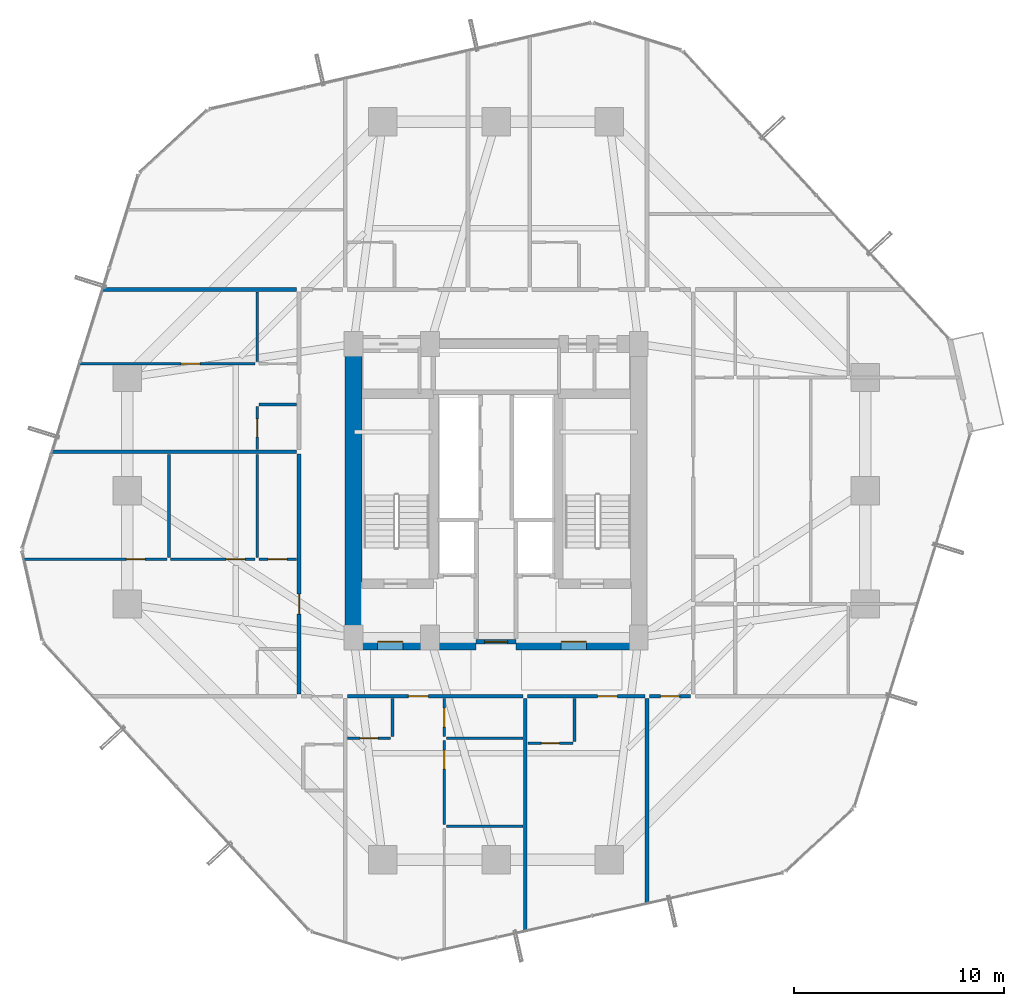
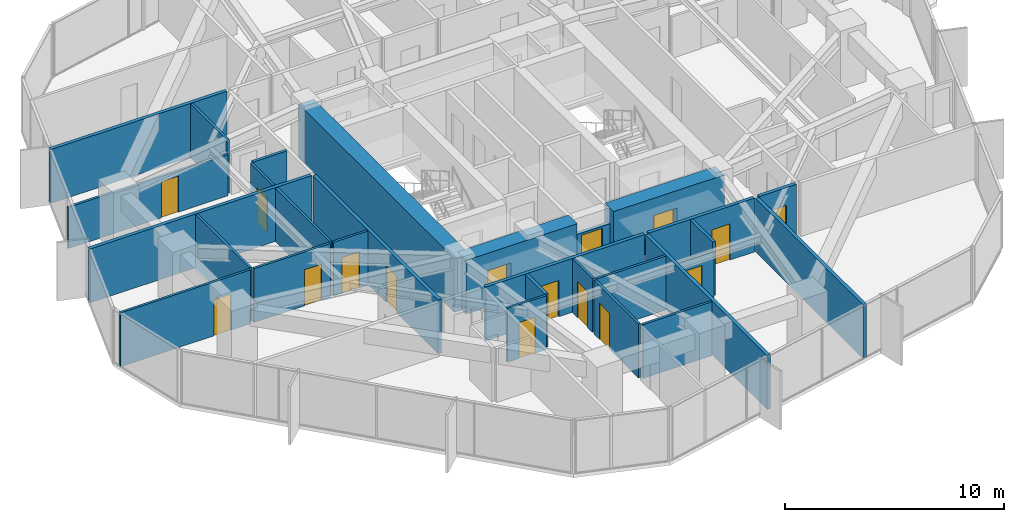
# One storey, part 34 of 39: 29 walls, 16 doors, 16 openings.
"""IFC4 building model written with IfcOpenShell, lengths in metres."""

import ifcopenshell
import ifcopenshell.guid

model = None  # the IFC model being written
_history = None  # IfcOwnerHistory: only IFC2X3 demands one
_inside = {}  # id of a spatial element -> (the spatial element, [elements in it])
_under = {}  # id of a project, library or spatial element -> (it, [spatial elements below it])
_declared = {}  # id of a project -> (the project, [libraries it declares])
_typed = {}  # id of a type object -> (the type object, [elements of that type])
_made_of = {}  # id of a material, layer set ... -> (it, [elements and type objects made of it])


def new_model(schema):
    """Start an empty IFC model of exactly this schema.

    Asked for "IFC4X3", IfcOpenShell would pick the latest addendum, in which some entities
    have other attributes; the version numbers below select the first issue.
    IFC2X3 requires an IfcOwnerHistory on every rooted entity: one is made here for all.
    """
    global model, _history
    if schema == "IFC4X3":
        model = ifcopenshell.file(schema_version=(4, 3, 0, 0))
    else:
        model = ifcopenshell.file(schema=schema)
    _inside.clear()
    _under.clear()
    _declared.clear()
    _typed.clear()
    _made_of.clear()
    _history = None
    if model.schema == "IFC2X3":
        org = make("IfcOrganization", Name="unknown")
        user = make(
            "IfcPersonAndOrganization",
            ThePerson=make("IfcPerson", FamilyName="unknown"),
            TheOrganization=org,
        )
        app = make(
            "IfcApplication",
            ApplicationDeveloper=org,
            Version="unknown",
            ApplicationFullName="unknown",
            ApplicationIdentifier="unknown",
        )
        _history = make(
            "IfcOwnerHistory",
            OwningUser=user,
            OwningApplication=app,
            ChangeAction="ADDED",
            CreationDate=0,
        )
    return model


def make(cls, **values):
    """One entity of the class cls with the attributes given. An attribute that is None is left unset."""
    return model.create_entity(
        cls, **{name: value for name, value in values.items() if value is not None}
    )


def rooted(cls, **values):
    """An entity with a GlobalId (a new one), such as an element, a storey or a relation."""
    return make(cls, GlobalId=ifcopenshell.guid.new(), OwnerHistory=_history, **values)


def si_unit(unit_type, name, prefix=None):
    """IfcSIUnit, for example si_unit("LENGTHUNIT", "METRE", prefix="MILLI")."""
    return make("IfcSIUnit", UnitType=unit_type, Prefix=prefix, Name=name)


def assignment(units):
    """IfcUnitAssignment: the units of a project."""
    return None if units is None else make("IfcUnitAssignment", Units=units)


def point(xyz):
    """IfcCartesianPoint."""
    return None if xyz is None else make("IfcCartesianPoint", Coordinates=xyz)


def direction(xyz):
    """IfcDirection."""
    return None if xyz is None else make("IfcDirection", DirectionRatios=xyz)


def frame(location, z_axis=None, x_axis=None):
    """IfcAxis2Placement3D, a coordinate frame: its origin and axes. An axis left out is left unset."""
    return make(
        "IfcAxis2Placement3D",
        Location=point(location),
        Axis=direction(z_axis),
        RefDirection=direction(x_axis),
    )


def frame_2d(location, x_axis=None):
    """IfcAxis2Placement2D, a coordinate frame in the plane: its origin and x axis."""
    return make(
        "IfcAxis2Placement2D", Location=point(location), RefDirection=direction(x_axis)
    )


def origin():
    """The frame at (0, 0, 0) with its axes left unset."""
    return frame((0.0, 0.0, 0.0))


def place(relative_to, where):
    """IfcLocalPlacement: puts the frame where relative to a parent placement (None: the world)."""
    return make(
        "IfcLocalPlacement", PlacementRelTo=relative_to, RelativePlacement=where
    )


def context(
    kind, dimensions, precision=None, world=None, true_north=None, identifier=None
):
    """IfcGeometricRepresentationContext, for example the 3D "Model" context."""
    return make(
        "IfcGeometricRepresentationContext",
        ContextIdentifier=identifier,
        ContextType=kind,
        CoordinateSpaceDimension=dimensions,
        Precision=precision,
        WorldCoordinateSystem=world,
        TrueNorth=true_north,
    )


def subcontext(parent, identifier, kind, view, scale=None):
    """IfcGeometricRepresentationSubContext, for example "Body" below "Model"."""
    return make(
        "IfcGeometricRepresentationSubContext",
        ContextIdentifier=identifier,
        ContextType=kind,
        ParentContext=parent,
        TargetScale=scale,
        TargetView=view,
    )


def project(units=None, contexts=None):
    """IfcProject with its units and contexts."""
    return rooted(
        "IfcProject",
        Name="project",
        RepresentationContexts=contexts,
        UnitsInContext=assignment(units),
    )


def spatial(cls, under=None, at=None, **own):
    """A site, building, storey or space (cls), placed at a placement, below another one or the project."""
    s = rooted(cls, ObjectPlacement=at, **own)
    if under is not None:
        _under.setdefault(under.id(), (under, []))[1].append(s)
    return s


def profile(cls, at=None, kind="AREA", **sizes):
    """A parametric profile (cls). Its sizes go by their IFC names, for example OverallWidth=200.0."""
    return make(cls, ProfileType=kind, Position=at, **sizes)


def rectangle(**sizes):
    """IfcRectangleProfileDef."""
    return profile("IfcRectangleProfileDef", **sizes)


def extrude(swept, where, along, depth):
    """IfcExtrudedAreaSolid: the profile swept, set in the frame where, extruded along a direction by depth."""
    return make(
        "IfcExtrudedAreaSolid",
        SweptArea=swept,
        Position=where,
        ExtrudedDirection=direction(along),
        Depth=depth,
    )


def shape(context_of_items, identifier, shape_type, items):
    """IfcShapeRepresentation: the items that make up one representation, for example the "Body"."""
    return make(
        "IfcShapeRepresentation",
        ContextOfItems=context_of_items,
        RepresentationIdentifier=identifier,
        RepresentationType=shape_type,
        Items=items,
    )


def source(mapping_origin, context_of_items, identifier, shape_type, items):
    """IfcRepresentationMap: a shape defined once, which mapped items show again and again."""
    return make(
        "IfcRepresentationMap",
        MappingOrigin=mapping_origin,
        MappedRepresentation=shape(context_of_items, identifier, shape_type, items),
    )


def transform(
    local_origin,
    x_axis=None,
    y_axis=None,
    z_axis=None,
    scale=None,
    scale2=None,
    scale3=None,
    uniform=True,
):
    """IfcCartesianTransformationOperator3D, or its non-uniform kind. x_axis, y_axis, z_axis: its Axis1, 2, 3."""
    if uniform:
        return make(
            "IfcCartesianTransformationOperator3D",
            Axis1=direction(x_axis),
            Axis2=direction(y_axis),
            LocalOrigin=point(local_origin),
            Scale=scale,
            Axis3=direction(z_axis),
        )
    return make(
        "IfcCartesianTransformationOperator3DnonUniform",
        Axis1=direction(x_axis),
        Axis2=direction(y_axis),
        LocalOrigin=point(local_origin),
        Scale=scale,
        Axis3=direction(z_axis),
        Scale2=scale2,
        Scale3=scale3,
    )


def mapped(mapping_source, mapping_target):
    """IfcMappedItem: shows the shape of a source again, moved by a transform."""
    return make(
        "IfcMappedItem", MappingSource=mapping_source, MappingTarget=mapping_target
    )


def material(Name=None, Category=None):
    """IfcMaterial."""
    return make("IfcMaterial", Name=Name, Category=Category)


def layer(
    of_material, thickness, ventilated=None, Name=None, Category=None, Priority=None
):
    """IfcMaterialLayer: one layer of a wall or slab, of a material (None: an air gap)."""
    return make(
        "IfcMaterialLayer",
        Material=of_material,
        LayerThickness=thickness,
        IsVentilated=ventilated,
        Name=Name,
        Category=Category,
        Priority=Priority,
    )


def layer_set(layers, Name=None):
    """IfcMaterialLayerSet."""
    return make("IfcMaterialLayerSet", MaterialLayers=layers, LayerSetName=Name)


def made_of(thing, what):
    """Note that an element or type object is made of a material, layer set ...; save() writes the relation."""
    if what is not None:
        _made_of.setdefault(what.id(), (what, []))[1].append(thing)
    return thing


def type_object(cls, material=None, **own):
    """A type object (cls), such as IfcWallType, which elements share."""
    return made_of(rooted(cls, **own), material)


def element(
    cls,
    number,
    at=None,
    inside=None,
    cuts=None,
    type_object=None,
    material=None,
    context=None,
    identifier="Body",
    shape_type=None,
    held_by="IfcProductDefinitionShape",
    body=None,
    shapes=None,
    **own,
):
    """One element of the class cls, such as IfcWall. Its Tag is "e" and its number.

    at: its placement. inside: the storey or other place that contains it. cuts: it is an
    opening in that element (IfcRelVoidsElement). A single representation is given by context,
    identifier, shape_type and body (its items); several are given by shapes. held_by: the class
    of the entity that holds the representations. save() writes the other relations.
    """
    e = rooted(cls, Tag="e%d" % number, ObjectPlacement=at, **own)
    if body is not None:
        shapes = [shape(context, identifier, shape_type, body)]
    if shapes is not None:
        e.Representation = make(held_by, Representations=shapes)
    if inside is not None:
        _inside.setdefault(inside.id(), (inside, []))[1].append(e)
    if cuts is not None:
        rooted(
            "IfcRelVoidsElement", RelatingBuildingElement=cuts, RelatedOpeningElement=e
        )
    if type_object is not None:
        _typed.setdefault(type_object.id(), (type_object, []))[1].append(e)
    return made_of(e, material)


def fill(opening, filler):
    """IfcRelFillsElement: the door or window that sits in an opening."""
    return rooted(
        "IfcRelFillsElement",
        RelatingOpeningElement=opening,
        RelatedBuildingElement=filler,
    )


def aggregate(whole, parts):
    """IfcRelAggregates: a whole, such as a stair, and the parts it consists of."""
    return rooted("IfcRelAggregates", RelatingObject=whole, RelatedObjects=parts)


def save(model, path):
    """Write the relations noted so far, then the file.

    IfcRelAggregates (storeys below a building ...), IfcRelContainedInSpatialStructure (elements
    in a storey), IfcRelDefinesByType, IfcRelAssociatesMaterial and IfcRelDeclares: one each for
    every whole, place, type object, material and project.
    """
    for whole, parts in _under.values():
        aggregate(whole, parts)
    for where, things in _inside.values():
        rooted(
            "IfcRelContainedInSpatialStructure",
            RelatedElements=things,
            RelatingStructure=where,
        )
    for kind, things in _typed.values():
        rooted("IfcRelDefinesByType", RelatedObjects=things, RelatingType=kind)
    for what, things in _made_of.values():
        rooted("IfcRelAssociatesMaterial", RelatedObjects=things, RelatingMaterial=what)
    for by, libraries in _declared.values():
        rooted("IfcRelDeclares", RelatingContext=by, RelatedDefinitions=libraries)
    model.write(path)


model = new_model("IFC4")

# Units and contexts
model_context = context("Model", 3, precision=1e-05, world=origin(), true_north=direction((0.0, 1.0)))
body_context = subcontext(model_context, "Body", "Model", "MODEL_VIEW")
ifc_project = project(units=[si_unit("LENGTHUNIT", "METRE"), si_unit("AREAUNIT", "SQUARE_METRE"), si_unit("VOLUMEUNIT", "CUBIC_METRE"), si_unit("PLANEANGLEUNIT", "RADIAN"), si_unit("MASSUNIT", "GRAM", prefix="KILO")], contexts=[model_context])

# Site, building, storey
site_placement = place(None, origin())
site = spatial("IfcSite", under=ifc_project, at=site_placement, CompositionType="ELEMENT")
building_placement = place(site_placement, origin())
building = spatial("IfcBuilding", under=site, at=building_placement, Name="Veraguas Prism Commons", CompositionType="ELEMENT")
storey_placement = place(building_placement, frame((0.0, 0.0, 67.35009765625)))
storey = spatial("IfcBuildingStorey", under=building, at=storey_placement, Name="L18", CompositionType="ELEMENT", Elevation=67.35009765625)

# Wall
ifc_material_1 = material(Name="Concrete C60/75", Category="concrete")
ifc_layer_1 = layer(ifc_material_1, 0.800048828125, Name="Core Outer Shear Wall Lower RC 800", Category="concrete")
ifc_layer_set_1 = layer_set([ifc_layer_1], Name="Concrete C60/75")
wall_type_1 = type_object("IfcWallType", Name="Core Outer Shear Wall Lower RC 800", PredefinedType="SHEAR", material=ifc_layer_set_1)
wall_1_placement = place(storey_placement, frame((17.199951171875, 16.800048828125, 0.0), z_axis=(0.0, 0.0, 1.0), x_axis=(0.0, 1.0, 0.0)))
element("IfcWall", 1, at=wall_1_placement, inside=storey, type_object=wall_type_1, Name="Central Core West Shear Wall L18", PredefinedType="SHEAR", context=body_context, shape_type="SweptSolid", body=[
    extrude(rectangle(XDim=14.199951171875, YDim=0.800048828125, at=frame_2d((7.10009765625, 0.0))), origin(), (0.0, 0.0, 1.0), 3.0),
])

# Wall, opening, door
wall_2_placement = place(storey_placement, frame((17.199951171875, 16.800048828125, 0.0), z_axis=(0.0, 0.0, 1.0), x_axis=(1.0, 0.0, 0.0)))
wall_2 = element("IfcWall", 2, at=wall_2_placement, inside=storey, type_object=wall_type_1, Name="Central Core South-West Shear Wall L18", PredefinedType="SHEAR", context=body_context, shape_type="SweptSolid", body=[
    extrude(rectangle(XDim=5.85009765625, YDim=0.800048828125, at=frame_2d((2.925048828125, 0.0))), origin(), (0.0, 0.0, 1.0), 3.0),
])
opening_1_placement = place(wall_2_placement, frame((1.14990234375, 0.0, 0.0)))
opening_1 = element("IfcOpeningElement", 3, at=opening_1_placement, cuts=wall_2, Name="Opening DR-06", PredefinedType="OPENING", context=body_context, shape_type="SweptSolid", body=[
    extrude(rectangle(XDim=1.199951171875, YDim=2.030029296875, at=frame_2d((0.60009765625, 1.01513671875))), frame((0.0, 0.409912109375, 0.0), z_axis=(0.0, -1.0, 0.0), x_axis=(1.0, 0.0, 0.0)), (0.0, 0.0, 1.0), 0.820068359375),
])
ifc_material_2 = material(Name="Steel fire-rated door assembly", Category="steel")
door_type_1 = type_object("IfcDoorType", Name="Firefighting Lobby Smoke Door 1200x2030", OperationType="NOTDEFINED", PredefinedType="DOOR", material=ifc_material_2)
shared_shape_1 = source(origin(), body_context, "Body", "SweptSolid", [
    extrude(rectangle(XDim=1.199951171875, YDim=2.030029296875, at=frame_2d((0.60009765625, 1.01513671875))), frame((0.0, 0.02490234375, 0.0), z_axis=(0.0, -1.0, 0.0), x_axis=(1.0, 0.0, 0.0)), (0.0, 0.0, 1.0), 0.050048828125),
])
door_1_placement = place(opening_1_placement, origin())
door_1 = element("IfcDoor", 4, at=door_1_placement, inside=storey, type_object=door_type_1, Name="West FF Lobby Door L18", OperationType="SINGLE_SWING_RIGHT", OverallHeight=2.030029296875, OverallWidth=1.199951171875, PredefinedType="DOOR", context=body_context, shape_type="MappedRepresentation", body=[
    mapped(shared_shape_1, transform((0.0, 0.0, 0.0), scale=1.0)),
])
fill(opening_1, door_1)

wall_3_placement = place(storey_placement, frame((24.949951171875, 16.800048828125, 0.0), z_axis=(0.0, 0.0, 1.0), x_axis=(1.0, 0.0, 0.0)))
wall_3 = element("IfcWall", 5, at=wall_3_placement, inside=storey, type_object=wall_type_1, Name="Central Core South-East Shear Wall L18", PredefinedType="SHEAR", context=body_context, shape_type="SweptSolid", body=[
    extrude(rectangle(XDim=5.85009765625, YDim=0.800048828125, at=frame_2d((2.925048828125, 0.0))), origin(), (0.0, 0.0, 1.0), 3.0),
])
opening_2_placement = place(wall_3_placement, frame((2.14990234375, 0.0, 0.0)))
opening_2 = element("IfcOpeningElement", 6, at=opening_2_placement, cuts=wall_3, Name="Opening DR-06", PredefinedType="OPENING", context=body_context, shape_type="SweptSolid", body=[
    extrude(rectangle(XDim=1.199951171875, YDim=2.030029296875, at=frame_2d((0.60009765625, 1.01513671875))), frame((0.0, 0.409912109375, 0.0), z_axis=(0.0, -1.0, 0.0), x_axis=(1.0, 0.0, 0.0)), (0.0, 0.0, 1.0), 0.820068359375),
])
door_2_placement = place(opening_2_placement, origin())
door_2 = element("IfcDoor", 7, at=door_2_placement, inside=storey, type_object=door_type_1, Name="East FF Lobby Door L18", OperationType="SINGLE_SWING_RIGHT", OverallHeight=2.030029296875, OverallWidth=1.199951171875, PredefinedType="DOOR", context=body_context, shape_type="MappedRepresentation", body=[
    mapped(shared_shape_1, transform((0.0, 0.0, 0.0), scale=1.0)),
])
fill(opening_2, door_2)

# Wall
ifc_material_3 = material(Name="Autoclaved aerated masonry block 10 MPa", Category="masonry")
ifc_layer_2 = layer(ifc_material_3, 0.179931640625, Name="Corridor and Inter-Tenancy Partition 180", Category="masonry")
ifc_layer_set_2 = layer_set([ifc_layer_2], Name="Autoclaved aerated masonry block 10 MPa")
wall_type_2 = type_object("IfcWallType", Name="Corridor and Inter-Tenancy Partition 180", PredefinedType="PARTITIONING", material=ifc_layer_set_2)
wall_4_placement = place(storey_placement, frame((31.199951171875, 14.080078125, 0.0), z_axis=(0.0, 0.0, 1.0), x_axis=(0.0, -1.0, 0.0)))
element("IfcWall", 8, at=wall_4_placement, inside=storey, type_object=wall_type_2, Name="WL-L18-PT002", PredefinedType="PARTITIONING", context=body_context, shape_type="SweptSolid", body=[
    extrude(rectangle(XDim=9.792236328125, YDim=0.179931640625, at=frame_2d((4.89599609375, 0.0))), origin(), (0.0, 0.0, 1.0), 3.0),
])

# Wall, opening, door
wall_5_placement = place(storey_placement, frame((16.909912109375, 14.199951171875, 0.0), z_axis=(0.0, 0.0, 1.0), x_axis=(1.0, 0.0, 0.0)))
wall_5 = element("IfcWall", 9, at=wall_5_placement, inside=storey, type_object=wall_type_2, Name="WL-L18-PT003", PredefinedType="PARTITIONING", context=body_context, shape_type="SweptSolid", body=[
    extrude(rectangle(XDim=8.3720703125, YDim=0.179931640625, at=frame_2d((4.18603515625, 0.0))), origin(), (0.0, 0.0, 1.0), 3.0),
])
opening_3_placement = place(wall_5_placement, frame((2.903076171875, 0.0, 0.0)))
opening_3 = element("IfcOpeningElement", 10, at=opening_3_placement, cuts=wall_5, Name="Opening DR-01", PredefinedType="OPENING", context=body_context, shape_type="SweptSolid", body=[
    extrude(rectangle(XDim=0.949951171875, YDim=2.02001953125, at=frame_2d((0.47509765625, 1.010009765625))), frame((0.0, 0.099853515625, 0.0), z_axis=(0.0, -1.0, 0.0), x_axis=(1.0, 0.0, 0.0)), (0.0, 0.0, 1.0), 0.199951171875),
])
ifc_material_4 = material(Name="Anodised aluminium EN AW-6063 T6", Category="aluminium")
door_type_2 = type_object("IfcDoorType", Name="Apartment Entrance Fire Door 950x2020", OperationType="NOTDEFINED", PredefinedType="DOOR", material=ifc_material_4)
shared_shape_2 = source(origin(), body_context, "Body", "SweptSolid", [
    extrude(rectangle(XDim=0.949951171875, YDim=2.02001953125, at=frame_2d((0.47509765625, 1.010009765625))), frame((0.0, 0.02490234375, 0.0), z_axis=(0.0, -1.0, 0.0), x_axis=(1.0, 0.0, 0.0)), (0.0, 0.0, 1.0), 0.050048828125),
])
door_3_placement = place(opening_3_placement, origin())
door_3 = element("IfcDoor", 11, at=door_3_placement, inside=storey, type_object=door_type_2, Name="Flat 18A Entrance Door", OperationType="SINGLE_SWING_RIGHT", OverallHeight=2.02001953125, OverallWidth=0.949951171875, PredefinedType="DOOR", context=body_context, shape_type="MappedRepresentation", body=[
    mapped(shared_shape_2, transform((0.0, 0.0, 0.0), scale=1.0)),
])
fill(opening_3, door_3)

# Wall
wall_6_placement = place(storey_placement, frame((25.39208984375, 14.080078125, 0.0), z_axis=(0.0, 0.0, 1.0), x_axis=(0.0, -1.0, 0.0)))
element("IfcWall", 12, at=wall_6_placement, inside=storey, type_object=wall_type_2, Name="WL-L18-PT011", PredefinedType="PARTITIONING", context=body_context, shape_type="SweptSolid", body=[
    extrude(rectangle(XDim=11.10546875, YDim=0.179931640625, at=frame_2d((5.552734375, 0.0))), origin(), (0.0, 0.0, 1.0), 3.0),
])

# Wall, opening, door
wall_7_placement = place(storey_placement, frame((25.501953125, 14.199951171875, 0.0), z_axis=(0.0, 0.0, 1.0), x_axis=(1.0, 0.0, 0.0)))
wall_7 = element("IfcWall", 13, at=wall_7_placement, inside=storey, type_object=wall_type_2, Name="WL-L18-PT012", PredefinedType="PARTITIONING", context=body_context, shape_type="SweptSolid", body=[
    extrude(rectangle(XDim=5.588134765625, YDim=0.179931640625, at=frame_2d((2.7939453125, 0.0))), origin(), (0.0, 0.0, 1.0), 3.0),
])
opening_4_placement = place(wall_7_placement, frame((3.336181640625, 0.0, 0.0)))
opening_4 = element("IfcOpeningElement", 14, at=opening_4_placement, cuts=wall_7, Name="Opening DR-01", PredefinedType="OPENING", context=body_context, shape_type="SweptSolid", body=[
    extrude(rectangle(XDim=0.949951171875, YDim=2.02001953125, at=frame_2d((0.47509765625, 1.010009765625))), frame((0.0, 0.099853515625, 0.0), z_axis=(0.0, -1.0, 0.0), x_axis=(1.0, 0.0, 0.0)), (0.0, 0.0, 1.0), 0.199951171875),
])
door_4_placement = place(opening_4_placement, origin())
door_4 = element("IfcDoor", 15, at=door_4_placement, inside=storey, type_object=door_type_2, Name="Studio 18B Entrance Door", OperationType="SINGLE_SWING_LEFT", OverallHeight=2.02001953125, OverallWidth=0.949951171875, PredefinedType="DOOR", context=body_context, shape_type="MappedRepresentation", body=[
    mapped(shared_shape_2, transform((0.0, 0.0, 0.0), scale=1.0)),
])
fill(opening_4, door_4)

# Wall
wall_8_placement = place(storey_placement, frame((14.47998046875, 33.60009765625, 0.0), z_axis=(0.0, 0.0, 1.0), x_axis=(-1.0, 0.0, 0.0)))
element("IfcWall", 16, at=wall_8_placement, inside=storey, type_object=wall_type_2, Name="WL-L18-PT027", PredefinedType="PARTITIONING", context=body_context, shape_type="SweptSolid", body=[
    extrude(rectangle(XDim=9.29345703125, YDim=0.179931640625, at=frame_2d((4.646728515625, 0.0))), origin(), (0.0, 0.0, 1.0), 3.0),
])

# Wall, opening, door
wall_9_placement = place(storey_placement, frame((14.60009765625, 14.31005859375, 0.0), z_axis=(0.0, 0.0, 1.0), x_axis=(0.0, 1.0, 0.0)))
wall_9 = element("IfcWall", 17, at=wall_9_placement, inside=storey, type_object=wall_type_2, Name="WL-L18-PT028", PredefinedType="PARTITIONING", context=body_context, shape_type="SweptSolid", body=[
    extrude(rectangle(XDim=11.43798828125, YDim=0.179931640625, at=frame_2d((5.718994140625, 0.0))), origin(), (0.0, 0.0, 1.0), 3.0),
])
opening_5_placement = place(wall_9_placement, frame((3.803955078125, 0.0, 0.0)))
opening_5 = element("IfcOpeningElement", 18, at=opening_5_placement, cuts=wall_9, Name="Opening DR-01", PredefinedType="OPENING", context=body_context, shape_type="SweptSolid", body=[
    extrude(rectangle(XDim=0.949951171875, YDim=2.02001953125, at=frame_2d((0.47509765625, 1.010009765625))), frame((0.0, 0.099853515625, 0.0), z_axis=(0.0, -1.0, 0.0), x_axis=(1.0, 0.0, 0.0)), (0.0, 0.0, 1.0), 0.199951171875),
])
door_5_placement = place(opening_5_placement, origin())
door_5 = element("IfcDoor", 19, at=door_5_placement, inside=storey, type_object=door_type_2, Name="Flat 18E Entrance Door", OperationType="SINGLE_SWING_RIGHT", OverallHeight=2.02001953125, OverallWidth=0.949951171875, PredefinedType="DOOR", context=body_context, shape_type="MappedRepresentation", body=[
    mapped(shared_shape_2, transform((0.0, 0.0, 0.0), scale=1.0)),
])
fill(opening_5, door_5)

# Wall
wall_10_placement = place(storey_placement, frame((14.47998046875, 25.85791015625, 0.0), z_axis=(0.0, 0.0, 1.0), x_axis=(-1.0, 0.0, 0.0)))
element("IfcWall", 20, at=wall_10_placement, inside=storey, type_object=wall_type_2, Name="WL-L18-PT036", PredefinedType="PARTITIONING", context=body_context, shape_type="SweptSolid", body=[
    extrude(rectangle(XDim=11.698974609375, YDim=0.179931640625, at=frame_2d((5.849609375, 0.0))), origin(), (0.0, 0.0, 1.0), 3.0),
])

# Wall, opening, door
wall_11_placement = place(storey_placement, frame((31.320068359375, 14.199951171875, 0.0), z_axis=(0.0, 0.0, 1.0), x_axis=(1.0, 0.0, 0.0)))
wall_11 = element("IfcWall", 21, at=wall_11_placement, inside=storey, type_object=wall_type_2, Name="WL-L18-PT064", PredefinedType="PARTITIONING", context=body_context, shape_type="SweptSolid", body=[
    extrude(rectangle(XDim=1.9599609375, YDim=0.179931640625, at=frame_2d((0.97998046875, 0.0))), origin(), (0.0, 0.0, 1.0), 3.0),
])
opening_6_placement = place(wall_11_placement, frame((0.530029296875, 0.0, 0.0)))
opening_6 = element("IfcOpeningElement", 22, at=opening_6_placement, cuts=wall_11, Name="Opening DR-14", PredefinedType="OPENING", context=body_context, shape_type="SweptSolid", body=[
    extrude(rectangle(XDim=0.89990234375, YDim=2.010009765625, at=frame_2d((0.449951171875, 1.0048828125))), frame((0.0, 0.099853515625, 0.0), z_axis=(0.0, -1.0, 0.0), x_axis=(1.0, 0.0, 0.0)), (0.0, 0.0, 1.0), 0.199951171875),
])
door_type_3 = type_object("IfcDoorType", Name="Core Service Room Fire Door 900x2010", OperationType="NOTDEFINED", PredefinedType="DOOR", material=ifc_material_2)
shared_shape_3 = source(origin(), body_context, "Body", "SweptSolid", [
    extrude(rectangle(XDim=0.89990234375, YDim=2.010009765625, at=frame_2d((0.449951171875, 1.0048828125))), frame((0.0, 0.02490234375, 0.0), z_axis=(0.0, -1.0, 0.0), x_axis=(1.0, 0.0, 0.0)), (0.0, 0.0, 1.0), 0.050048828125),
])
door_6_placement = place(opening_6_placement, origin())
door_6 = element("IfcDoor", 23, at=door_6_placement, inside=storey, type_object=door_type_3, Name="Residents Corner Study Room SE Door", OperationType="SINGLE_SWING_RIGHT", OverallHeight=2.010009765625, OverallWidth=0.89990234375, PredefinedType="DOOR", context=body_context, shape_type="MappedRepresentation", body=[
    mapped(shared_shape_3, transform((0.0, 0.0, 0.0), scale=1.0)),
])
fill(opening_6, door_6)

ifc_material_5 = material(Name="Lightweight acoustic gypsum board")
ifc_layer_3 = layer(ifc_material_5, 0.125, Name="Internal Apartment Room Partition 125")
ifc_layer_set_3 = layer_set([ifc_layer_3], Name="Lightweight acoustic gypsum board")
wall_type_3 = type_object("IfcWallType", Name="Internal Apartment Room Partition 125", PredefinedType="PARTITIONING", material=ifc_layer_set_3)
wall_12_placement = place(storey_placement, frame((16.919921875, 12.199951171875, 0.0), z_axis=(0.0, 0.0, 1.0), x_axis=(1.0, 0.0, 0.0)))
wall_12 = element("IfcWall", 24, at=wall_12_placement, inside=storey, type_object=wall_type_3, Name="WL-L18-PT005", PredefinedType="PARTITIONING", context=body_context, shape_type="SweptSolid", body=[
    extrude(rectangle(XDim=2.050048828125, YDim=0.125, at=frame_2d((1.02490234375, 0.0))), origin(), (0.0, 0.0, 1.0), 3.0),
])
opening_7_placement = place(wall_12_placement, frame((0.594970703125, 0.0, 0.0)))
opening_7 = element("IfcOpeningElement", 25, at=opening_7_placement, cuts=wall_12, Name="Opening DR-03", PredefinedType="OPENING", context=body_context, shape_type="SweptSolid", body=[
    extrude(rectangle(XDim=0.860107421875, YDim=2.010009765625, at=frame_2d((0.43017578125, 1.0048828125))), frame((0.0, 0.072509765625, 0.0), z_axis=(0.0, -1.0, 0.0), x_axis=(1.0, 0.0, 0.0)), (0.0, 0.0, 1.0), 0.14501953125),
])
ifc_material_6 = material(Name="Timber moisture-resistant leaf", Category="wood")
door_type_4 = type_object("IfcDoorType", Name="Internal Bathroom Door 860x2010", OperationType="NOTDEFINED", PredefinedType="DOOR", material=ifc_material_6)
shared_shape_4 = source(origin(), body_context, "Body", "SweptSolid", [
    extrude(rectangle(XDim=0.860107421875, YDim=2.010009765625, at=frame_2d((0.43017578125, 1.0048828125))), frame((0.0, 0.02490234375, 0.0), z_axis=(0.0, -1.0, 0.0), x_axis=(1.0, 0.0, 0.0)), (0.0, 0.0, 1.0), 0.050048828125),
])
door_7_placement = place(opening_7_placement, origin())
door_7 = element("IfcDoor", 26, at=door_7_placement, inside=storey, type_object=door_type_4, Name="Flat 18A Bathroom Door", OperationType="SINGLE_SWING_LEFT", OverallHeight=2.010009765625, OverallWidth=0.860107421875, PredefinedType="DOOR", context=body_context, shape_type="MappedRepresentation", body=[
    mapped(shared_shape_4, transform((0.0, 0.0, 0.0), scale=1.0)),
])
fill(opening_7, door_7)

wall_13_placement = place(storey_placement, frame((21.52587890625, 14.080078125, 0.0), z_axis=(0.0, 0.0, 1.0), x_axis=(0.0, -1.0, 0.0)))
wall_13 = element("IfcWall", 27, at=wall_13_placement, inside=storey, type_object=wall_type_3, Name="WL-L18-PT006", PredefinedType="PARTITIONING", context=body_context, shape_type="SweptSolid", body=[
    extrude(rectangle(XDim=1.800048828125, YDim=0.125, at=frame_2d((0.89990234375, 0.0))), origin(), (0.0, 0.0, 1.0), 3.0),
])
opening_8_placement = place(wall_13_placement, frame((0.449951171875, 0.0, 0.0)))
opening_8 = element("IfcOpeningElement", 28, at=opening_8_placement, cuts=wall_13, Name="Opening DR-02", PredefinedType="OPENING", context=body_context, shape_type="SweptSolid", body=[
    extrude(rectangle(XDim=0.89990234375, YDim=2.010009765625, at=frame_2d((0.449951171875, 1.0048828125))), frame((0.0, 0.072509765625, 0.0), z_axis=(0.0, -1.0, 0.0), x_axis=(1.0, 0.0, 0.0)), (0.0, 0.0, 1.0), 0.14501953125),
])
ifc_material_7 = material(Name="Timber solid core hardwood", Category="wood")
door_type_5 = type_object("IfcDoorType", Name="Internal Habitable Room Door 900x2010", OperationType="NOTDEFINED", PredefinedType="DOOR", material=ifc_material_7)
door_8_placement = place(opening_8_placement, origin())
door_8 = element("IfcDoor", 29, at=door_8_placement, inside=storey, type_object=door_type_5, Name="Flat 18A Kitchen Door", OperationType="SINGLE_SWING_RIGHT", OverallHeight=2.010009765625, OverallWidth=0.89990234375, PredefinedType="DOOR", context=body_context, shape_type="MappedRepresentation", body=[
    mapped(shared_shape_3, transform((0.0, 0.0, 0.0), scale=1.0)),
])
fill(opening_8, door_8)

# Walls
for number, where, z_axis, x_axis, name in (
    (30, (21.6259765625, 12.199951171875, 0.0), (0.0, 0.0, 1.0), (1.0, 0.0, 0.0), "WL-L18-PT007"),
    (31, (21.6259765625, 8.0, 0.0), (0.0, 0.0, 1.0), (1.0, 0.0, 0.0), "WL-L18-PT008"),
):
    element("IfcWall", number, at=place(storey_placement, frame(where, z_axis=z_axis, x_axis=x_axis)), inside=storey, type_object=wall_type_3, Name=name, PredefinedType="PARTITIONING", context=body_context, shape_type="SweptSolid", body=[
        extrude(rectangle(XDim=3.64599609375, YDim=0.125, at=frame_2d((1.822998046875, 0.0))), origin(), (0.0, 0.0, 1.0), 3.0),
    ])

# Wall, opening, door
wall_14_placement = place(storey_placement, frame((21.52587890625, 12.10009765625, 0.0), z_axis=(0.0, 0.0, 1.0), x_axis=(0.0, -1.0, 0.0)))
wall_14 = element("IfcWall", 32, at=wall_14_placement, inside=storey, type_object=wall_type_3, Name="WL-L18-PT009", PredefinedType="PARTITIONING", context=body_context, shape_type="SweptSolid", body=[
    extrude(rectangle(XDim=4.02001953125, YDim=0.125, at=frame_2d((2.010009765625, 0.0))), origin(), (0.0, 0.0, 1.0), 3.0),
])
opening_9_placement = place(wall_14_placement, frame((0.471923828125, 0.0, 0.0)))
opening_9 = element("IfcOpeningElement", 33, at=opening_9_placement, cuts=wall_14, Name="Opening DR-02", PredefinedType="OPENING", context=body_context, shape_type="SweptSolid", body=[
    extrude(rectangle(XDim=0.89990234375, YDim=2.010009765625, at=frame_2d((0.449951171875, 1.0048828125))), frame((0.0, 0.072509765625, 0.0), z_axis=(0.0, -1.0, 0.0), x_axis=(1.0, 0.0, 0.0)), (0.0, 0.0, 1.0), 0.14501953125),
])
door_9_placement = place(opening_9_placement, origin())
door_9 = element("IfcDoor", 34, at=door_9_placement, inside=storey, type_object=door_type_5, Name="Flat 18A Bedroom 1 Door", OperationType="SINGLE_SWING_LEFT", OverallHeight=2.010009765625, OverallWidth=0.89990234375, PredefinedType="DOOR", context=body_context, shape_type="MappedRepresentation", body=[
    mapped(shared_shape_3, transform((0.0, 0.0, 0.0), scale=1.0)),
])
fill(opening_9, door_9)

wall_15_placement = place(storey_placement, frame((25.511962890625, 11.949951171875, 0.0), z_axis=(0.0, 0.0, 1.0), x_axis=(1.0, 0.0, 0.0)))
wall_15 = element("IfcWall", 35, at=wall_15_placement, inside=storey, type_object=wall_type_3, Name="WL-L18-PT014", PredefinedType="PARTITIONING", context=body_context, shape_type="SweptSolid", body=[
    extrude(rectangle(XDim=2.150146484375, YDim=0.125, at=frame_2d((1.0751953125, 0.0))), origin(), (0.0, 0.0, 1.0), 2.579833984375),
])
opening_10_placement = place(wall_15_placement, frame((0.64501953125, 0.0, 0.0)))
opening_10 = element("IfcOpeningElement", 36, at=opening_10_placement, cuts=wall_15, Name="Opening DR-03", PredefinedType="OPENING", context=body_context, shape_type="SweptSolid", body=[
    extrude(rectangle(XDim=0.860107421875, YDim=2.010009765625, at=frame_2d((0.43017578125, 1.0048828125))), frame((0.0, 0.072509765625, 0.0), z_axis=(0.0, -1.0, 0.0), x_axis=(1.0, 0.0, 0.0)), (0.0, 0.0, 1.0), 0.14501953125),
])
door_10_placement = place(opening_10_placement, origin())
door_10 = element("IfcDoor", 37, at=door_10_placement, inside=storey, type_object=door_type_4, Name="Studio 18B Bathroom Door", OperationType="SINGLE_SWING_RIGHT", OverallHeight=2.010009765625, OverallWidth=0.860107421875, PredefinedType="DOOR", context=body_context, shape_type="MappedRepresentation", body=[
    mapped(shared_shape_4, transform((0.0, 0.0, 0.0), scale=1.0)),
])
fill(opening_10, door_10)

wall_16_placement = place(storey_placement, frame((14.47998046875, 20.72802734375, 0.0), z_axis=(0.0, 0.0, 1.0), x_axis=(-1.0, 0.0, 0.0)))
wall_16 = element("IfcWall", 38, at=wall_16_placement, inside=storey, type_object=wall_type_3, Name="WL-L18-PT031", PredefinedType="PARTITIONING", context=body_context, shape_type="SweptSolid", body=[
    extrude(rectangle(XDim=1.800048828125, YDim=0.125, at=frame_2d((0.89990234375, 0.0))), origin(), (0.0, 0.0, 1.0), 3.0),
])
opening_11_placement = place(wall_16_placement, frame((0.449951171875, 0.0, 0.0)))
opening_11 = element("IfcOpeningElement", 39, at=opening_11_placement, cuts=wall_16, Name="Opening DR-02", PredefinedType="OPENING", context=body_context, shape_type="SweptSolid", body=[
    extrude(rectangle(XDim=0.89990234375, YDim=2.010009765625, at=frame_2d((0.449951171875, 1.0048828125))), frame((0.0, 0.072509765625, 0.0), z_axis=(0.0, -1.0, 0.0), x_axis=(1.0, 0.0, 0.0)), (0.0, 0.0, 1.0), 0.14501953125),
])
door_11_placement = place(opening_11_placement, origin())
door_11 = element("IfcDoor", 40, at=door_11_placement, inside=storey, type_object=door_type_5, Name="Flat 18E Kitchen Door", OperationType="SINGLE_SWING_RIGHT", OverallHeight=2.010009765625, OverallWidth=0.89990234375, PredefinedType="DOOR", context=body_context, shape_type="MappedRepresentation", body=[
    mapped(shared_shape_3, transform((0.0, 0.0, 0.0), scale=1.0)),
])
fill(opening_11, door_11)

# Walls
for number, where, z_axis, x_axis, name in (
    (41, (12.60009765625, 20.827880859375, 0.0), (0.0, 0.0, 1.0), (0.0, 1.0, 0.0), "WL-L18-PT032"),
    (42, (8.39990234375, 20.827880859375, 0.0), (0.0, 0.0, 1.0), (0.0, 1.0, 0.0), "WL-L18-PT033"),
):
    element("IfcWall", number, at=place(storey_placement, frame(where, z_axis=z_axis, x_axis=x_axis)), inside=storey, type_object=wall_type_3, Name=name, PredefinedType="PARTITIONING", context=body_context, shape_type="SweptSolid", body=[
        extrude(rectangle(XDim=4.91015625, YDim=0.125, at=frame_2d((2.455078125, 0.0))), origin(), (0.0, 0.0, 1.0), 3.0),
    ])

# Wall, opening, door
wall_17_placement = place(storey_placement, frame((12.5, 20.72802734375, 0.0), z_axis=(0.0, 0.0, 1.0), x_axis=(-1.0, 0.0, 0.0)))
wall_17 = element("IfcWall", 43, at=wall_17_placement, inside=storey, type_object=wall_type_3, Name="WL-L18-PT034", PredefinedType="PARTITIONING", context=body_context, shape_type="SweptSolid", body=[
    extrude(rectangle(XDim=4.02001953125, YDim=0.125, at=frame_2d((2.010009765625, 0.0))), origin(), (0.0, 0.0, 1.0), 3.0),
])
opening_12_placement = place(wall_17_placement, frame((0.471923828125, 0.0, 0.0)))
opening_12 = element("IfcOpeningElement", 44, at=opening_12_placement, cuts=wall_17, Name="Opening DR-02", PredefinedType="OPENING", context=body_context, shape_type="SweptSolid", body=[
    extrude(rectangle(XDim=0.89990234375, YDim=2.010009765625, at=frame_2d((0.449951171875, 1.0048828125))), frame((0.0, 0.072509765625, 0.0), z_axis=(0.0, -1.0, 0.0), x_axis=(1.0, 0.0, 0.0)), (0.0, 0.0, 1.0), 0.14501953125),
])
door_12_placement = place(opening_12_placement, origin())
door_12 = element("IfcDoor", 45, at=door_12_placement, inside=storey, type_object=door_type_5, Name="Flat 18E Bedroom 1 Door", OperationType="SINGLE_SWING_LEFT", OverallHeight=2.010009765625, OverallWidth=0.89990234375, PredefinedType="DOOR", context=body_context, shape_type="MappedRepresentation", body=[
    mapped(shared_shape_3, transform((0.0, 0.0, 0.0), scale=1.0)),
])
fill(opening_12, door_12)

wall_18_placement = place(storey_placement, frame((8.300048828125, 20.72802734375, 0.0), z_axis=(0.0, 0.0, 1.0), x_axis=(-1.0, 0.0, 0.0)))
wall_18 = element("IfcWall", 46, at=wall_18_placement, inside=storey, type_object=wall_type_3, Name="WL-L18-PT035", PredefinedType="PARTITIONING", context=body_context, shape_type="SweptSolid", body=[
    extrude(rectangle(XDim=6.864990234375, YDim=0.125, at=frame_2d((3.4326171875, 0.0))), origin(), (0.0, 0.0, 1.0), 3.0),
])
opening_13_placement = place(wall_18_placement, frame((1.03466796875, 0.0, 0.0)))
opening_13 = element("IfcOpeningElement", 47, at=opening_13_placement, cuts=wall_18, Name="Opening DR-02", PredefinedType="OPENING", context=body_context, shape_type="SweptSolid", body=[
    extrude(rectangle(XDim=0.89990234375, YDim=2.010009765625, at=frame_2d((0.449951171875, 1.0048828125))), frame((0.0, 0.072509765625, 0.0), z_axis=(0.0, -1.0, 0.0), x_axis=(1.0, 0.0, 0.0)), (0.0, 0.0, 1.0), 0.14501953125),
])
door_13_placement = place(opening_13_placement, origin())
door_13 = element("IfcDoor", 48, at=door_13_placement, inside=storey, type_object=door_type_5, Name="Flat 18E Bedroom 2 Door", OperationType="SINGLE_SWING_RIGHT", OverallHeight=2.010009765625, OverallWidth=0.89990234375, PredefinedType="DOOR", context=body_context, shape_type="MappedRepresentation", body=[
    mapped(shared_shape_3, transform((0.0, 0.0, 0.0), scale=1.0)),
])
fill(opening_13, door_13)

wall_19_placement = place(storey_placement, frame((12.60009765625, 25.97802734375, 0.0), z_axis=(0.0, 0.0, 1.0), x_axis=(0.0, 1.0, 0.0)))
wall_19 = element("IfcWall", 49, at=wall_19_placement, inside=storey, type_object=wall_type_3, Name="WL-L18-PT039", PredefinedType="PARTITIONING", context=body_context, shape_type="SweptSolid", body=[
    extrude(rectangle(XDim=2.050048828125, YDim=0.125, at=frame_2d((1.02490234375, 0.0))), origin(), (0.0, 0.0, 1.0), 3.0),
])
opening_14_placement = place(wall_19_placement, frame((0.594970703125, 0.0, 0.0)))
opening_14 = element("IfcOpeningElement", 50, at=opening_14_placement, cuts=wall_19, Name="Opening DR-03", PredefinedType="OPENING", context=body_context, shape_type="SweptSolid", body=[
    extrude(rectangle(XDim=0.860107421875, YDim=2.010009765625, at=frame_2d((0.43017578125, 1.0048828125))), frame((0.0, 0.072509765625, 0.0), z_axis=(0.0, -1.0, 0.0), x_axis=(1.0, 0.0, 0.0)), (0.0, 0.0, 1.0), 0.14501953125),
])
door_14_placement = place(opening_14_placement, origin())
door_14 = element("IfcDoor", 51, at=door_14_placement, inside=storey, type_object=door_type_4, Name="Flat 18F Bathroom Door", OperationType="SINGLE_SWING_RIGHT", OverallHeight=2.010009765625, OverallWidth=0.860107421875, PredefinedType="DOOR", context=body_context, shape_type="MappedRepresentation", body=[
    mapped(shared_shape_4, transform((0.0, 0.0, 0.0), scale=1.0)),
])
fill(opening_14, door_14)

# Wall
wall_20_placement = place(storey_placement, frame((12.60009765625, 30.157958984375, 0.0), z_axis=(0.0, 0.0, 1.0), x_axis=(0.0, 1.0, 0.0)))
element("IfcWall", 52, at=wall_20_placement, inside=storey, type_object=wall_type_3, Name="WL-L18-PT041", PredefinedType="PARTITIONING", context=body_context, shape_type="SweptSolid", body=[
    extrude(rectangle(XDim=3.322021484375, YDim=0.125, at=frame_2d((1.6611328125, 0.0))), origin(), (0.0, 0.0, 1.0), 3.0),
])

# Wall, opening, door
wall_21_placement = place(storey_placement, frame((12.5, 30.05810546875, 0.0), z_axis=(0.0, 0.0, 1.0), x_axis=(-1.0, 0.0, 0.0)))
wall_21 = element("IfcWall", 53, at=wall_21_placement, inside=storey, type_object=wall_type_3, Name="WL-L18-PT042", PredefinedType="PARTITIONING", context=body_context, shape_type="SweptSolid", body=[
    extrude(rectangle(XDim=8.413818359375, YDim=0.125, at=frame_2d((4.20703125, 0.0))), origin(), (0.0, 0.0, 1.0), 2.298828125),
])
opening_15_placement = place(wall_21_placement, frame((2.61865234375, 0.0, 0.0)))
opening_15 = element("IfcOpeningElement", 54, at=opening_15_placement, cuts=wall_21, Name="Opening DR-02", PredefinedType="OPENING", context=body_context, shape_type="SweptSolid", body=[
    extrude(rectangle(XDim=0.89990234375, YDim=2.010009765625, at=frame_2d((0.449951171875, 1.0048828125))), frame((0.0, 0.072509765625, 0.0), z_axis=(0.0, -1.0, 0.0), x_axis=(1.0, 0.0, 0.0)), (0.0, 0.0, 1.0), 0.14501953125),
])
door_15_placement = place(opening_15_placement, origin())
door_15 = element("IfcDoor", 55, at=door_15_placement, inside=storey, type_object=door_type_5, Name="Flat 18F Bedroom 1 Door", OperationType="SINGLE_SWING_RIGHT", OverallHeight=2.010009765625, OverallWidth=0.89990234375, PredefinedType="DOOR", context=body_context, shape_type="MappedRepresentation", body=[
    mapped(shared_shape_3, transform((0.0, 0.0, 0.0), scale=1.0)),
])
fill(opening_15, door_15)

ifc_layer_4 = layer(ifc_material_3, 0.199951171875, Name="Rated Shaft and Lobby Block Wall 200", Category="masonry")
ifc_layer_set_4 = layer_set([ifc_layer_4], Name="Autoclaved aerated masonry block 10 MPa")
wall_type_4 = type_object("IfcWallType", Name="Rated Shaft and Lobby Block Wall 200", PredefinedType="SOLIDWALL", material=ifc_layer_set_4)
wall_22_placement = place(storey_placement, frame((23.050048828125, 16.800048828125, 0.0), z_axis=(0.0, 0.0, 1.0), x_axis=(1.0, 0.0, 0.0)))
wall_22 = element("IfcWall", 56, at=wall_22_placement, inside=storey, type_object=wall_type_4, Name="Central Core Lobby Entrance Wall L18", PredefinedType="SOLIDWALL", context=body_context, shape_type="SweptSolid", body=[
    extrude(rectangle(XDim=1.89990234375, YDim=0.199951171875, at=frame_2d((0.949951171875, 0.0))), origin(), (0.0, 0.0, 1.0), 2.14990234375),
])
opening_16_placement = place(wall_22_placement, frame((0.39990234375, 0.0, 0.0)))
opening_16 = element("IfcOpeningElement", 57, at=opening_16_placement, cuts=wall_22, Name="Opening DR-05", PredefinedType="OPENING", context=body_context, shape_type="SweptSolid", body=[
    extrude(rectangle(XDim=1.10009765625, YDim=2.030029296875, at=frame_2d((0.550048828125, 1.01513671875))), frame((0.0, 0.10986328125, 0.0), z_axis=(0.0, -1.0, 0.0), x_axis=(1.0, 0.0, 0.0)), (0.0, 0.0, 1.0), 0.219970703125),
])
door_type_6 = type_object("IfcDoorType", Name="Protected Stair and Refuge Fire Door 1100x2030", OperationType="NOTDEFINED", PredefinedType="DOOR", material=ifc_material_2)
shared_shape_5 = source(origin(), body_context, "Body", "SweptSolid", [
    extrude(rectangle(XDim=1.10009765625, YDim=2.030029296875, at=frame_2d((0.550048828125, 1.01513671875))), frame((0.0, 0.02490234375, 0.0), z_axis=(0.0, -1.0, 0.0), x_axis=(1.0, 0.0, 0.0)), (0.0, 0.0, 1.0), 0.050048828125),
])
door_16_placement = place(opening_16_placement, origin())
door_16 = element("IfcDoor", 58, at=door_16_placement, inside=storey, type_object=door_type_6, Name="Central Lobby Door L18", OperationType="SINGLE_SWING_LEFT", OverallHeight=2.030029296875, OverallWidth=1.10009765625, PredefinedType="DOOR", context=body_context, shape_type="MappedRepresentation", body=[
    mapped(shared_shape_5, transform((0.0, 0.0, 0.0), scale=1.0)),
])
fill(opening_16, door_16)

# Walls
ifc_layer_5 = layer(ifc_material_5, 0.14990234375, Name="Wet Room and Clinic Acoustic Partition 150")
ifc_layer_set_5 = layer_set([ifc_layer_5], Name="Lightweight acoustic gypsum board")
wall_type_5 = type_object("IfcWallType", Name="Wet Room and Clinic Acoustic Partition 150", PredefinedType="PARTITIONING", material=ifc_layer_set_5)
wall_23_placement = place(storey_placement, frame((19.050048828125, 14.080078125, 0.0), z_axis=(0.0, 0.0, 1.0), x_axis=(0.0, -1.0, 0.0)))
element("IfcWall", 59, at=wall_23_placement, inside=storey, type_object=wall_type_5, Name="WL-L18-PT004", PredefinedType="PARTITIONING", context=body_context, shape_type="SweptSolid", body=[
    extrude(rectangle(XDim=1.800048828125, YDim=0.14990234375, at=frame_2d((0.89990234375, 0.0))), origin(), (0.0, 0.0, 1.0), 3.0),
])
wall_24_placement = place(storey_placement, frame((27.741943359375, 14.080078125, 0.0), z_axis=(0.0, 0.0, 1.0), x_axis=(0.0, -1.0, 0.0)))
element("IfcWall", 60, at=wall_24_placement, inside=storey, type_object=wall_type_5, Name="WL-L18-PT013", PredefinedType="PARTITIONING", context=body_context, shape_type="SweptSolid", body=[
    extrude(rectangle(XDim=2.050048828125, YDim=0.14990234375, at=frame_2d((1.02490234375, 0.0))), origin(), (0.0, 0.0, 1.0), 3.0),
])
wall_25_placement = place(storey_placement, frame((14.47998046875, 28.10791015625, 0.0), z_axis=(0.0, 0.0, 1.0), x_axis=(-1.0, 0.0, 0.0)))
element("IfcWall", 61, at=wall_25_placement, inside=storey, type_object=wall_type_5, Name="WL-L18-PT038", PredefinedType="PARTITIONING", context=body_context, shape_type="SweptSolid", body=[
    extrude(rectangle(XDim=1.800048828125, YDim=0.14990234375, at=frame_2d((0.89990234375, 0.0))), origin(), (0.0, 0.0, 1.0), 3.0),
])

save(model, "model.ifc")
